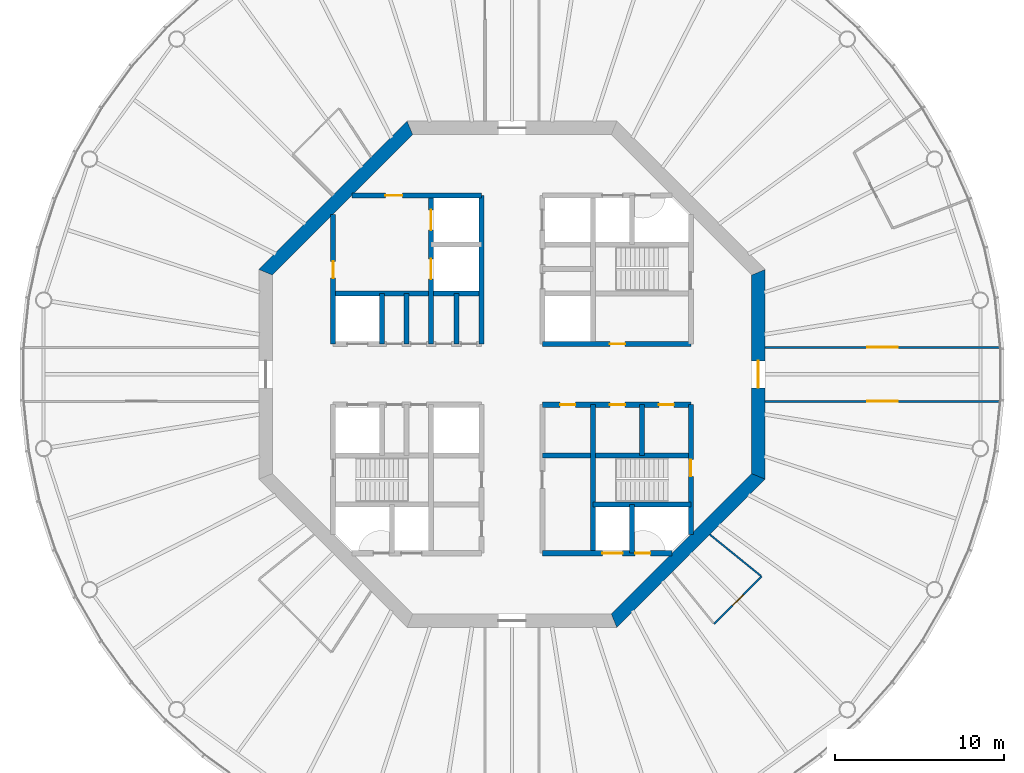
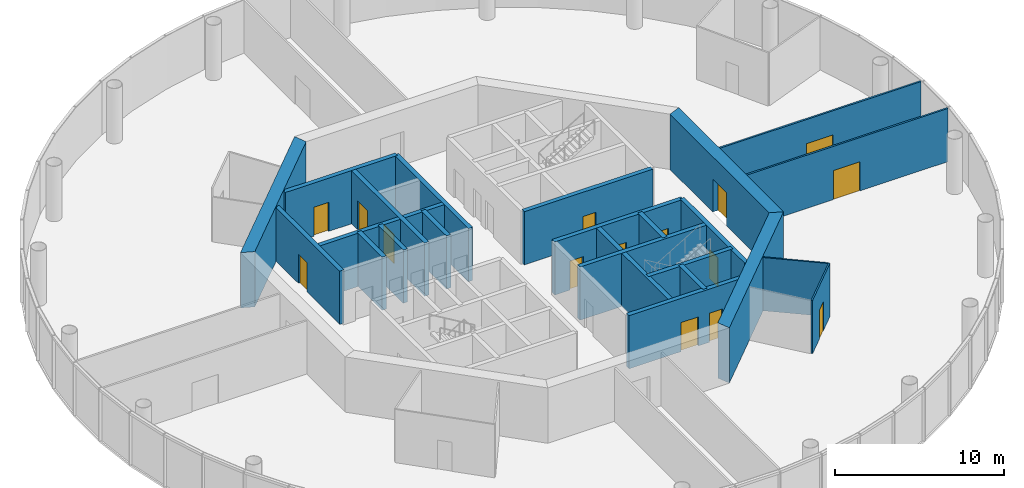
# One storey, part 4 of 12: 24 walls, 15 doors, 15 openings.
"""IFC4 building model written with IfcOpenShell, lengths in metres."""

from ifc_helpers import new_model, si_unit, direction, frame, frame_2d, origin, place, context, subcontext, project, spatial, polyline, rectangle, outline, extrude, material, layer, layer_set, type_object, element, fill, save


model = new_model("IFC4")

# Units and contexts
model_context = context("Model", 3, precision=1e-05, world=origin(), true_north=direction((0.0, 1.0)))
body_context = subcontext(model_context, "Body", "Model", "MODEL_VIEW")
ifc_project = project(units=[si_unit("LENGTHUNIT", "METRE"), si_unit("AREAUNIT", "SQUARE_METRE"), si_unit("VOLUMEUNIT", "CUBIC_METRE"), si_unit("PLANEANGLEUNIT", "RADIAN"), si_unit("MASSUNIT", "GRAM", prefix="KILO")], contexts=[model_context])

# Site, building, storey
site_placement = place(None, origin())
site = spatial("IfcSite", under=ifc_project, at=site_placement, CompositionType="ELEMENT")
building_placement = place(site_placement, origin())
building = spatial("IfcBuilding", under=site, at=building_placement, Name="Entoto Ring Tower", CompositionType="ELEMENT")
storey_placement = place(building_placement, frame((0.0, 0.0, 322.0)))
storey = spatial("IfcBuildingStorey", under=building, at=storey_placement, Name="L74", CompositionType="ELEMENT", Elevation=322.0)

# Wall, opening, door
ifc_material_1 = material(Name="Concrete C40/50", Category="concrete")
ifc_layer_1 = layer(ifc_material_1, 0.300048828125)
ifc_layer_set_1 = layer_set([ifc_layer_1], Name="Concrete C40/50")
wall_type_1 = type_object("IfcWallType", Name="Core enclosure wall 300 mm reinforced concrete", PredefinedType="SOLIDWALL", material=ifc_layer_set_1)
wall_1_placement = place(storey_placement, frame((100.60009765625, 70.518310546875, 0.0), z_axis=(0.0, 0.0, 1.0), x_axis=(0.0, 1.0, 0.0)))
wall_1 = element("IfcWall", 1, at=wall_1_placement, inside=storey, type_object=wall_type_1, Name="wall-L74-001", PredefinedType="SOLIDWALL", context=body_context, shape_type="SweptSolid", body=[
    extrude(rectangle(XDim=7.681640625, YDim=0.300048828125, at=frame_2d((3.8408203125, 0.0))), origin(), (0.0, 0.0, 1.0), 3.85009765625),
])
opening_1_placement = place(wall_1_placement, frame((3.431884765625, 0.0, 0.0)))
opening_1 = element("IfcOpeningElement", 2, at=opening_1_placement, cuts=wall_1, Name="Opening K-28", PredefinedType="OPENING", context=body_context, shape_type="SweptSolid", body=[
    extrude(rectangle(XDim=1.0, YDim=2.10009765625, at=frame_2d((0.5, 1.050048828125))), frame((0.0, 0.16015625, 0.0), z_axis=(0.0, -1.0, 0.0), x_axis=(1.0, 0.0, 0.0)), (0.0, 0.0, 1.0), 0.320068359375),
])
ifc_material_2 = material(Name="Steel door leaf, fire rated", Category="steel")
ifc_layer_2 = layer(ifc_material_2, 0.050048828125)
ifc_layer_set_2 = layer_set([ifc_layer_2], Name="Steel door leaf, fire rated")
door_type_1 = type_object("IfcDoorType", Name="Fire door FD60 1000 x 2100 single leaf", OperationType="NOTDEFINED", PredefinedType="DOOR", material=ifc_layer_set_2)
door_1_placement = place(opening_1_placement, origin())
door_1 = element("IfcDoor", 3, at=door_1_placement, inside=storey, type_object=door_type_1, Name="Door K-28", OperationType="SINGLE_SWING_RIGHT", OverallHeight=2.10009765625, OverallWidth=1.0, PredefinedType="DOOR", context=body_context, shape_type="SweptSolid", body=[
    extrude(rectangle(XDim=1.0, YDim=2.10009765625, at=frame_2d((0.5, 1.050048828125))), frame((0.0, 0.02490234375, 0.0), z_axis=(0.0, -1.0, 0.0), x_axis=(1.0, 0.0, 0.0)), (0.0, 0.0, 1.0), 0.050048828125),
])
fill(opening_1, door_1)

# Walls
wall_2_placement = place(storey_placement, frame((97.699951171875, 75.199951171875, 0.0), z_axis=(0.0, 0.0, 1.0), x_axis=(0.0, 1.0, 0.0)))
element("IfcWall", 4, at=wall_2_placement, inside=storey, type_object=wall_type_1, Name="wall-L74-003", PredefinedType="SOLIDWALL", context=body_context, shape_type="SweptSolid", body=[
    extrude(rectangle(XDim=3.0, YDim=0.300048828125, at=frame_2d((1.5, 0.0))), origin(), (0.0, 0.0, 1.0), 3.85009765625),
])
wall_3_placement = place(storey_placement, frame((97.10009765625, 69.39990234375, 0.0), z_axis=(0.0, 0.0, 1.0), x_axis=(0.0, 1.0, 0.0)))
element("IfcWall", 5, at=wall_3_placement, inside=storey, type_object=wall_type_1, Name="wall-L74-004", PredefinedType="SOLIDWALL", context=body_context, shape_type="SweptSolid", body=[
    extrude(rectangle(XDim=2.900146484375, YDim=0.300048828125, at=frame_2d((1.4501953125, 0.0))), origin(), (0.0, 0.0, 1.0), 3.85009765625),
])
for number, where, z_axis, x_axis, name in (
    (6, (94.800048828125, 69.39990234375, 0.0), (0.0, 0.0, 1.0), (0.0, 1.0, 0.0), "wall-L74-006"),
    (7, (88.199951171875, 81.800048828125, 0.0), (0.0, 0.0, 1.0), (0.0, 1.0, 0.0), "wall-L74-011"),
):
    element("IfcWall", number, at=place(storey_placement, frame(where, z_axis=z_axis, x_axis=x_axis)), inside=storey, type_object=wall_type_1, Name=name, PredefinedType="SOLIDWALL", context=body_context, shape_type="SweptSolid", body=[
        extrude(rectangle(XDim=8.800048828125, YDim=0.300048828125, at=frame_2d((4.39990234375, 0.0))), origin(), (0.0, 0.0, 1.0), 3.85009765625),
    ])
wall_4_placement = place(storey_placement, frame((86.699951171875, 81.800048828125, 0.0), z_axis=(0.0, 0.0, 1.0), x_axis=(0.0, 1.0, 0.0)))
element("IfcWall", 8, at=wall_4_placement, inside=storey, type_object=wall_type_1, Name="wall-L74-012", PredefinedType="SOLIDWALL", context=body_context, shape_type="SweptSolid", body=[
    extrude(rectangle(XDim=3.0, YDim=0.300048828125, at=frame_2d((1.5, 0.0))), origin(), (0.0, 0.0, 1.0), 3.85009765625),
])

# Wall, openings, doors
wall_5_placement = place(storey_placement, frame((85.199951171875, 81.800048828125, 0.0), z_axis=(0.0, 0.0, 1.0), x_axis=(0.0, 1.0, 0.0)))
wall_5 = element("IfcWall", 9, at=wall_5_placement, inside=storey, type_object=wall_type_1, Name="wall-L74-014", PredefinedType="SOLIDWALL", context=body_context, shape_type="SweptSolid", body=[
    extrude(rectangle(XDim=8.800048828125, YDim=0.300048828125, at=frame_2d((4.39990234375, 0.0))), origin(), (0.0, 0.0, 1.0), 3.85009765625),
])
opening_2_placement = place(wall_5_placement, frame((3.85009765625, 0.0, 0.0)))
opening_2 = element("IfcOpeningElement", 10, at=opening_2_placement, cuts=wall_5, Name="Opening LD", PredefinedType="OPENING", context=body_context, shape_type="SweptSolid", body=[
    extrude(rectangle(XDim=1.199951171875, YDim=2.10009765625, at=frame_2d((0.60009765625, 1.050048828125))), frame((0.0, 0.16015625, 0.0), z_axis=(0.0, -1.0, 0.0), x_axis=(1.0, 0.0, 0.0)), (0.0, 0.0, 1.0), 0.320068359375),
])
opening_3_placement = place(wall_5_placement, frame((6.75, 0.0, 0.0)))
opening_3 = element("IfcOpeningElement", 11, at=opening_3_placement, cuts=wall_5, Name="Opening LD", PredefinedType="OPENING", context=body_context, shape_type="SweptSolid", body=[
    extrude(rectangle(XDim=1.199951171875, YDim=2.10009765625, at=frame_2d((0.60009765625, 1.050048828125))), frame((0.0, 0.16015625, 0.0), z_axis=(0.0, -1.0, 0.0), x_axis=(1.0, 0.0, 0.0)), (0.0, 0.0, 1.0), 0.320068359375),
])
ifc_material_3 = material(Name="Steel and glass door leaf", Category="steel")
ifc_layer_3 = layer(ifc_material_3, 0.050048828125)
ifc_layer_set_3 = layer_set([ifc_layer_3], Name="Steel and glass door leaf")
door_type_2 = type_object("IfcDoorType", Name="Landing door 1200 x 2100 sliding", OperationType="DOUBLE_DOOR_SLIDING", PredefinedType="DOOR", material=ifc_layer_set_3)
door_2_placement = place(opening_2_placement, origin())
door_2 = element("IfcDoor", 12, at=door_2_placement, inside=storey, type_object=door_type_2, Name="Landing door FF1", OperationType="SLIDING_TO_RIGHT", OverallHeight=2.10009765625, OverallWidth=1.199951171875, PredefinedType="DOOR", context=body_context, shape_type="SweptSolid", body=[
    extrude(rectangle(XDim=1.199951171875, YDim=2.10009765625, at=frame_2d((0.60009765625, 1.050048828125))), frame((0.0, 0.02490234375, 0.0), z_axis=(0.0, -1.0, 0.0), x_axis=(1.0, 0.0, 0.0)), (0.0, 0.0, 1.0), 0.050048828125),
])
fill(opening_2, door_2)
door_3_placement = place(opening_3_placement, origin())
door_3 = element("IfcDoor", 13, at=door_3_placement, inside=storey, type_object=door_type_2, Name="Landing door FF2", OperationType="SLIDING_TO_RIGHT", OverallHeight=2.10009765625, OverallWidth=1.199951171875, PredefinedType="DOOR", context=body_context, shape_type="SweptSolid", body=[
    extrude(rectangle(XDim=1.199951171875, YDim=2.10009765625, at=frame_2d((0.60009765625, 1.050048828125))), frame((0.0, 0.02490234375, 0.0), z_axis=(0.0, -1.0, 0.0), x_axis=(1.0, 0.0, 0.0)), (0.0, 0.0, 1.0), 0.050048828125),
])
fill(opening_3, door_3)

# Walls
for number, where, z_axis, x_axis, name in (
    (14, (83.75, 81.800048828125, 0.0), (0.0, 0.0, 1.0), (0.0, 1.0, 0.0), "wall-L74-016"),
    (15, (82.300048828125, 81.800048828125, 0.0), (0.0, 0.0, 1.0), (0.0, 1.0, 0.0), "wall-L74-019"),
):
    element("IfcWall", number, at=place(storey_placement, frame(where, z_axis=z_axis, x_axis=x_axis)), inside=storey, type_object=wall_type_1, Name=name, PredefinedType="SOLIDWALL", context=body_context, shape_type="SweptSolid", body=[
        extrude(rectangle(XDim=3.0, YDim=0.300048828125, at=frame_2d((1.5, 0.0))), origin(), (0.0, 0.0, 1.0), 3.85009765625),
    ])

# Wall, opening, door
wall_6_placement = place(storey_placement, frame((79.39990234375, 81.800048828125, 0.0), z_axis=(0.0, 0.0, 1.0), x_axis=(0.0, 1.0, 0.0)))
wall_6 = element("IfcWall", 16, at=wall_6_placement, inside=storey, type_object=wall_type_1, Name="wall-L74-021", PredefinedType="SOLIDWALL", context=body_context, shape_type="SweptSolid", body=[
    extrude(rectangle(XDim=7.681640625, YDim=0.300048828125, at=frame_2d((3.8408203125, 0.0))), origin(), (0.0, 0.0, 1.0), 3.85009765625),
])
opening_4_placement = place(wall_6_placement, frame((3.89990234375, 0.0, 0.0)))
opening_4 = element("IfcOpeningElement", 17, at=opening_4_placement, cuts=wall_6, Name="Opening K-86", PredefinedType="OPENING", context=body_context, shape_type="SweptSolid", body=[
    extrude(rectangle(XDim=1.0, YDim=2.10009765625, at=frame_2d((0.5, 1.050048828125))), frame((0.0, 0.16015625, 0.0), z_axis=(0.0, -1.0, 0.0), x_axis=(1.0, 0.0, 0.0)), (0.0, 0.0, 1.0), 0.320068359375),
])
door_4_placement = place(opening_4_placement, frame((1.0, 0.0, 0.0), z_axis=(0.0, 0.0, 1.0), x_axis=(-1.0, 0.0, 0.0)))
door_4 = element("IfcDoor", 18, at=door_4_placement, inside=storey, type_object=door_type_1, Name="Door K-86", OperationType="SINGLE_SWING_RIGHT", OverallHeight=2.10009765625, OverallWidth=1.0, PredefinedType="DOOR", context=body_context, shape_type="SweptSolid", body=[
    extrude(rectangle(XDim=1.0, YDim=2.10009765625, at=frame_2d((0.5, 1.050048828125))), frame((0.0, 0.02490234375, 0.0), z_axis=(0.0, -1.0, 0.0), x_axis=(1.0, 0.0, 0.0)), (0.0, 0.0, 1.0), 0.050048828125),
])
fill(opening_4, door_4)

# Wall, openings, doors
wall_7_placement = place(storey_placement, frame((91.800048828125, 69.39990234375, 0.0), z_axis=(0.0, 0.0, 1.0), x_axis=(1.0, 0.0, 0.0)))
wall_7 = element("IfcWall", 19, at=wall_7_placement, inside=storey, type_object=wall_type_1, Name="wall-L74-023", PredefinedType="SOLIDWALL", context=body_context, shape_type="SweptSolid", body=[
    extrude(rectangle(XDim=7.681640625, YDim=0.300048828125, at=frame_2d((3.8408203125, 0.0))), origin(), (0.0, 0.0, 1.0), 3.85009765625),
])
opening_5_placement = place(wall_7_placement, frame((3.550048828125, 0.0, 0.0)))
opening_5 = element("IfcOpeningElement", 20, at=opening_5_placement, cuts=wall_7, Name="Opening LD", PredefinedType="OPENING", context=body_context, shape_type="SweptSolid", body=[
    extrude(rectangle(XDim=1.199951171875, YDim=2.10009765625, at=frame_2d((0.60009765625, 1.050048828125))), frame((0.0, 0.16015625, 0.0), z_axis=(0.0, -1.0, 0.0), x_axis=(1.0, 0.0, 0.0)), (0.0, 0.0, 1.0), 0.320068359375),
])
opening_6_placement = place(wall_7_placement, frame((5.5, 0.0, 0.0)))
opening_6 = element("IfcOpeningElement", 21, at=opening_6_placement, cuts=wall_7, Name="Opening K-85", PredefinedType="OPENING", context=body_context, shape_type="SweptSolid", body=[
    extrude(rectangle(XDim=0.89990234375, YDim=2.10009765625, at=frame_2d((0.449951171875, 1.050048828125))), frame((0.0, 0.16015625, 0.0), z_axis=(0.0, -1.0, 0.0), x_axis=(1.0, 0.0, 0.0)), (0.0, 0.0, 1.0), 0.320068359375),
])
door_5_placement = place(opening_5_placement, origin())
door_5 = element("IfcDoor", 22, at=door_5_placement, inside=storey, type_object=door_type_2, Name="Landing door LB2-HR", OperationType="SLIDING_TO_RIGHT", OverallHeight=2.10009765625, OverallWidth=1.199951171875, PredefinedType="DOOR", context=body_context, shape_type="SweptSolid", body=[
    extrude(rectangle(XDim=1.199951171875, YDim=2.10009765625, at=frame_2d((0.60009765625, 1.050048828125))), frame((0.0, 0.02490234375, 0.0), z_axis=(0.0, -1.0, 0.0), x_axis=(1.0, 0.0, 0.0)), (0.0, 0.0, 1.0), 0.050048828125),
])
fill(opening_5, door_5)
ifc_material_4 = material(Name="Steel door leaf, fire rated", Category="steel")
ifc_layer_4 = layer(ifc_material_4, 0.050048828125)
ifc_layer_set_4 = layer_set([ifc_layer_4], Name="Steel door leaf, fire rated")
door_type_3 = type_object("IfcDoorType", Name="Riser door FD60 900 x 2100 single leaf", OperationType="NOTDEFINED", PredefinedType="DOOR", material=ifc_layer_set_4)
door_6_placement = place(opening_6_placement, origin())
door_6 = element("IfcDoor", 23, at=door_6_placement, inside=storey, type_object=door_type_3, Name="Door K-85", OperationType="SINGLE_SWING_LEFT", OverallHeight=2.10009765625, OverallWidth=0.89990234375, PredefinedType="DOOR", context=body_context, shape_type="SweptSolid", body=[
    extrude(rectangle(XDim=0.89990234375, YDim=2.10009765625, at=frame_2d((0.449951171875, 1.050048828125))), frame((0.0, 0.02490234375, 0.0), z_axis=(0.0, -1.0, 0.0), x_axis=(1.0, 0.0, 0.0)), (0.0, 0.0, 1.0), 0.050048828125),
])
fill(opening_6, door_6)

# Walls
wall_8_placement = place(storey_placement, frame((94.800048828125, 72.300048828125, 0.0), z_axis=(0.0, 0.0, 1.0), x_axis=(1.0, 0.0, 0.0)))
element("IfcWall", 24, at=wall_8_placement, inside=storey, type_object=wall_type_1, Name="wall-L74-025", PredefinedType="SOLIDWALL", context=body_context, shape_type="SweptSolid", body=[
    extrude(rectangle(XDim=5.800048828125, YDim=0.300048828125, at=frame_2d((2.89990234375, 0.0))), origin(), (0.0, 0.0, 1.0), 3.85009765625),
])
wall_9_placement = place(storey_placement, frame((91.800048828125, 75.199951171875, 0.0), z_axis=(0.0, 0.0, 1.0), x_axis=(1.0, 0.0, 0.0)))
element("IfcWall", 25, at=wall_9_placement, inside=storey, type_object=wall_type_1, Name="wall-L74-027", PredefinedType="SOLIDWALL", context=body_context, shape_type="SweptSolid", body=[
    extrude(rectangle(XDim=8.800048828125, YDim=0.300048828125, at=frame_2d((4.39990234375, 0.0))), origin(), (0.0, 0.0, 1.0), 3.85009765625),
])

# Wall, openings, doors
wall_10_placement = place(storey_placement, frame((91.800048828125, 78.199951171875, 0.0), z_axis=(0.0, 0.0, 1.0), x_axis=(1.0, 0.0, 0.0)))
wall_10 = element("IfcWall", 26, at=wall_10_placement, inside=storey, type_object=wall_type_1, Name="wall-L74-029", PredefinedType="SOLIDWALL", context=body_context, shape_type="SweptSolid", body=[
    extrude(rectangle(XDim=8.800048828125, YDim=0.300048828125, at=frame_2d((4.39990234375, 0.0))), origin(), (0.0, 0.0, 1.0), 3.85009765625),
])
opening_7_placement = place(wall_10_placement, frame((4.0, 0.0, 0.0)))
opening_7 = element("IfcOpeningElement", 27, at=opening_7_placement, cuts=wall_10, Name="Opening K-14", PredefinedType="OPENING", context=body_context, shape_type="SweptSolid", body=[
    extrude(rectangle(XDim=0.89990234375, YDim=2.10009765625, at=frame_2d((0.449951171875, 1.050048828125))), frame((0.0, 0.16015625, 0.0), z_axis=(0.0, -1.0, 0.0), x_axis=(1.0, 0.0, 0.0)), (0.0, 0.0, 1.0), 0.320068359375),
])
opening_8_placement = place(wall_10_placement, frame((6.89990234375, 0.0, 0.0)))
opening_8 = element("IfcOpeningElement", 28, at=opening_8_placement, cuts=wall_10, Name="Opening K-15", PredefinedType="OPENING", context=body_context, shape_type="SweptSolid", body=[
    extrude(rectangle(XDim=0.89990234375, YDim=2.10009765625, at=frame_2d((0.449951171875, 1.050048828125))), frame((0.0, 0.16015625, 0.0), z_axis=(0.0, -1.0, 0.0), x_axis=(1.0, 0.0, 0.0)), (0.0, 0.0, 1.0), 0.320068359375),
])
opening_9_placement = place(wall_10_placement, frame((1.050048828125, 0.0, 0.0)))
opening_9 = element("IfcOpeningElement", 29, at=opening_9_placement, cuts=wall_10, Name="Opening K-25", PredefinedType="OPENING", context=body_context, shape_type="SweptSolid", body=[
    extrude(rectangle(XDim=0.89990234375, YDim=2.10009765625, at=frame_2d((0.449951171875, 1.050048828125))), frame((0.0, 0.16015625, 0.0), z_axis=(0.0, -1.0, 0.0), x_axis=(1.0, 0.0, 0.0)), (0.0, 0.0, 1.0), 0.320068359375),
])
ifc_material_5 = material(Name="Steel door leaf, fire rated", Category="steel")
ifc_layer_5 = layer(ifc_material_5, 0.050048828125)
ifc_layer_set_5 = layer_set([ifc_layer_5], Name="Steel door leaf, fire rated")
door_type_4 = type_object("IfcDoorType", Name="Core door 900 x 2100 single leaf", OperationType="NOTDEFINED", PredefinedType="DOOR", material=ifc_layer_set_5)
door_7_placement = place(opening_7_placement, frame((0.89990234375, 0.0, 0.0), z_axis=(0.0, 0.0, 1.0), x_axis=(-1.0, 0.0, 0.0)))
door_7 = element("IfcDoor", 30, at=door_7_placement, inside=storey, type_object=door_type_4, Name="Door K-14", OperationType="SINGLE_SWING_RIGHT", OverallHeight=2.10009765625, OverallWidth=0.89990234375, PredefinedType="DOOR", context=body_context, shape_type="SweptSolid", body=[
    extrude(rectangle(XDim=0.89990234375, YDim=2.10009765625, at=frame_2d((0.449951171875, 1.050048828125))), frame((0.0, 0.02490234375, 0.0), z_axis=(0.0, -1.0, 0.0), x_axis=(1.0, 0.0, 0.0)), (0.0, 0.0, 1.0), 0.050048828125),
])
fill(opening_7, door_7)
door_8_placement = place(opening_8_placement, frame((0.89990234375, 0.0, 0.0), z_axis=(0.0, 0.0, 1.0), x_axis=(-1.0, 0.0, 0.0)))
door_8 = element("IfcDoor", 31, at=door_8_placement, inside=storey, type_object=door_type_4, Name="Door K-15", OperationType="SINGLE_SWING_LEFT", OverallHeight=2.10009765625, OverallWidth=0.89990234375, PredefinedType="DOOR", context=body_context, shape_type="SweptSolid", body=[
    extrude(rectangle(XDim=0.89990234375, YDim=2.10009765625, at=frame_2d((0.449951171875, 1.050048828125))), frame((0.0, 0.02490234375, 0.0), z_axis=(0.0, -1.0, 0.0), x_axis=(1.0, 0.0, 0.0)), (0.0, 0.0, 1.0), 0.050048828125),
])
fill(opening_8, door_8)
door_9_placement = place(opening_9_placement, frame((0.89990234375, 0.0, 0.0), z_axis=(0.0, 0.0, 1.0), x_axis=(-1.0, 0.0, 0.0)))
door_9 = element("IfcDoor", 32, at=door_9_placement, inside=storey, type_object=door_type_4, Name="Door K-25", OperationType="SINGLE_SWING_RIGHT", OverallHeight=2.10009765625, OverallWidth=0.89990234375, PredefinedType="DOOR", context=body_context, shape_type="SweptSolid", body=[
    extrude(rectangle(XDim=0.89990234375, YDim=2.10009765625, at=frame_2d((0.449951171875, 1.050048828125))), frame((0.0, 0.02490234375, 0.0), z_axis=(0.0, -1.0, 0.0), x_axis=(1.0, 0.0, 0.0)), (0.0, 0.0, 1.0), 0.050048828125),
])
fill(opening_9, door_9)

# Wall, opening, door
wall_11_placement = place(storey_placement, frame((91.800048828125, 81.800048828125, 0.0), z_axis=(0.0, 0.0, 1.0), x_axis=(1.0, 0.0, 0.0)))
wall_11 = element("IfcWall", 33, at=wall_11_placement, inside=storey, type_object=wall_type_1, Name="wall-L74-031", PredefinedType="SOLIDWALL", context=body_context, shape_type="SweptSolid", body=[
    extrude(rectangle(XDim=8.800048828125, YDim=0.300048828125, at=frame_2d((4.39990234375, 0.0))), origin(), (0.0, 0.0, 1.0), 3.85009765625),
])
opening_10_placement = place(wall_11_placement, frame((4.0, 0.0, 0.0)))
opening_10 = element("IfcOpeningElement", 34, at=opening_10_placement, cuts=wall_11, Name="Opening K-11", PredefinedType="OPENING", context=body_context, shape_type="SweptSolid", body=[
    extrude(rectangle(XDim=0.89990234375, YDim=2.10009765625, at=frame_2d((0.449951171875, 1.050048828125))), frame((0.0, 0.16015625, 0.0), z_axis=(0.0, -1.0, 0.0), x_axis=(1.0, 0.0, 0.0)), (0.0, 0.0, 1.0), 0.320068359375),
])
door_10_placement = place(opening_10_placement, origin())
door_10 = element("IfcDoor", 35, at=door_10_placement, inside=storey, type_object=door_type_4, Name="Door K-11", OperationType="SINGLE_SWING_LEFT", OverallHeight=2.10009765625, OverallWidth=0.89990234375, PredefinedType="DOOR", context=body_context, shape_type="SweptSolid", body=[
    extrude(rectangle(XDim=0.89990234375, YDim=2.10009765625, at=frame_2d((0.449951171875, 1.050048828125))), frame((0.0, 0.02490234375, 0.0), z_axis=(0.0, -1.0, 0.0), x_axis=(1.0, 0.0, 0.0)), (0.0, 0.0, 1.0), 0.050048828125),
])
fill(opening_10, door_10)

# Wall
wall_12_placement = place(storey_placement, frame((79.39990234375, 84.800048828125, 0.0), z_axis=(0.0, 0.0, 1.0), x_axis=(1.0, 0.0, 0.0)))
element("IfcWall", 36, at=wall_12_placement, inside=storey, type_object=wall_type_1, Name="wall-L74-032", PredefinedType="SOLIDWALL", context=body_context, shape_type="SweptSolid", body=[
    extrude(rectangle(XDim=8.800048828125, YDim=0.300048828125, at=frame_2d((4.39990234375, 0.0))), origin(), (0.0, 0.0, 1.0), 3.85009765625),
])

# Wall, opening, door
wall_13_placement = place(storey_placement, frame((80.518310546875, 90.60009765625, 0.0), z_axis=(0.0, 0.0, 1.0), x_axis=(1.0, 0.0, 0.0)))
wall_13 = element("IfcWall", 37, at=wall_13_placement, inside=storey, type_object=wall_type_1, Name="wall-L74-037", PredefinedType="SOLIDWALL", context=body_context, shape_type="SweptSolid", body=[
    extrude(rectangle(XDim=7.681640625, YDim=0.300048828125, at=frame_2d((3.8408203125, 0.0))), origin(), (0.0, 0.0, 1.0), 3.85009765625),
])
opening_11_placement = place(wall_13_placement, frame((1.981689453125, 0.0, 0.0)))
opening_11 = element("IfcOpeningElement", 38, at=opening_11_placement, cuts=wall_13, Name="Opening K-87", PredefinedType="OPENING", context=body_context, shape_type="SweptSolid", body=[
    extrude(rectangle(XDim=1.0, YDim=2.10009765625, at=frame_2d((0.5, 1.050048828125))), frame((0.0, 0.16015625, 0.0), z_axis=(0.0, -1.0, 0.0), x_axis=(1.0, 0.0, 0.0)), (0.0, 0.0, 1.0), 0.320068359375),
])
door_11_placement = place(opening_11_placement, frame((1.0, 0.0, 0.0), z_axis=(0.0, 0.0, 1.0), x_axis=(-1.0, 0.0, 0.0)))
door_11 = element("IfcDoor", 39, at=door_11_placement, inside=storey, type_object=door_type_1, Name="Door K-87", OperationType="SINGLE_SWING_LEFT", OverallHeight=2.10009765625, OverallWidth=1.0, PredefinedType="DOOR", context=body_context, shape_type="SweptSolid", body=[
    extrude(rectangle(XDim=1.0, YDim=2.10009765625, at=frame_2d((0.5, 1.050048828125))), frame((0.0, 0.02490234375, 0.0), z_axis=(0.0, -1.0, 0.0), x_axis=(1.0, 0.0, 0.0)), (0.0, 0.0, 1.0), 0.050048828125),
])
fill(opening_11, door_11)

ifc_material_6 = material(Name="Concrete C40/50", Category="concrete")
ifc_layer_6 = layer(ifc_material_6, 0.800048828125)
ifc_layer_set_6 = layer_set([ifc_layer_6], Name="Concrete C40/50")
wall_type_2 = type_object("IfcWallType", Name="Core shear wall 800 mm reinforced concrete C40/50", PredefinedType="SHEAR", material=ifc_layer_set_6)
wall_14_placement = place(storey_placement, frame((104.60009765625, 73.952392578125, 0.0), z_axis=(0.0, 0.0, 1.0), x_axis=(0.0, 1.0, 0.0)))
wall_14 = element("IfcWall", 40, at=wall_14_placement, inside=storey, type_object=wall_type_2, Name="wall-L74-core-0", PredefinedType="SHEAR", context=body_context, shape_type="SweptSolid", body=[
    extrude(outline(polyline([(-0.165771484375, -0.39990234375), (12.260986328125, -0.39990234375), (11.929443359375, 0.39990234375), (0.165771484375, 0.39990234375), (-0.165771484375, -0.39990234375)])), origin(), (0.0, 0.0, 1.0), 4.0),
])
opening_12_placement = place(wall_14_placement, frame((5.24755859375, 0.0, 0.0)))
opening_12 = element("IfcOpeningElement", 41, at=opening_12_placement, cuts=wall_14, Name="Opening K-01", PredefinedType="OPENING", context=body_context, shape_type="SweptSolid", body=[
    extrude(rectangle(XDim=1.60009765625, YDim=2.39990234375, at=frame_2d((0.800048828125, 1.199951171875))), frame((0.0, 0.41015625, 0.0), z_axis=(0.0, -1.0, 0.0), x_axis=(1.0, 0.0, 0.0)), (0.0, 0.0, 1.0), 0.820068359375),
])
ifc_material_7 = material(Name="Steel door leaf, fire rated", Category="steel")
ifc_layer_7 = layer(ifc_material_7, 0.050048828125)
ifc_layer_set_7 = layer_set([ifc_layer_7], Name="Steel door leaf, fire rated")
door_type_5 = type_object("IfcDoorType", Name="Entrance door FD60 1600 x 2400 double leaf", OperationType="DOUBLE_DOOR_SINGLE_SWING", PredefinedType="DOOR", material=ifc_layer_set_7)
door_12_placement = place(opening_12_placement, origin())
door_12 = element("IfcDoor", 42, at=door_12_placement, inside=storey, type_object=door_type_5, Name="Entrance door K-01", OperationType="DOUBLE_DOOR_SINGLE_SWING", OverallHeight=2.39990234375, OverallWidth=1.60009765625, PredefinedType="DOOR", context=body_context, shape_type="SweptSolid", body=[
    extrude(rectangle(XDim=1.60009765625, YDim=2.39990234375, at=frame_2d((0.800048828125, 1.199951171875))), frame((0.0, 0.02490234375, 0.0), z_axis=(0.0, -1.0, 0.0), x_axis=(1.0, 0.0, 0.0)), (0.0, 0.0, 1.0), 0.050048828125),
])
fill(opening_12, door_12)

# Walls
for number, where, z_axis, x_axis, name in (
    (43, (83.952392578125, 94.60009765625, 0.0), (0.0, 0.0, 1.0), (-0.707106781187, -0.707106781187, 0.0), "wall-L74-core-3"),
    (44, (96.047607421875, 65.39990234375, 0.0), (0.0, 0.0, 1.0), (0.707106781187, 0.707106781187, 0.0), "wall-L74-core-7"),
):
    element("IfcWall", number, at=place(storey_placement, frame(where, z_axis=z_axis, x_axis=x_axis)), inside=storey, type_object=wall_type_2, Name=name, PredefinedType="SHEAR", context=body_context, shape_type="SweptSolid", body=[
        extrude(outline(polyline([(-0.165771484375, -0.39990234375), (12.2607421875, -0.39990234375), (11.92919921875, 0.39990234375), (0.165771484375, 0.39990234375), (-0.165771484375, -0.39990234375)])), origin(), (0.0, 0.0, 1.0), 4.0),
    ])

# Wall, opening, door
ifc_material_8 = material(Name="Fire-resisting plasterboard on steel studs", Category="steel")
ifc_layer_8 = layer(ifc_material_8, 0.125)
ifc_layer_set_8 = layer_set([ifc_layer_8], Name="Fire-resisting plasterboard on steel studs")
wall_type_3 = type_object("IfcWallType", Name="Corridor wall 125 mm one-hour plasterboard on steel studs", PredefinedType="PARTITIONING", material=ifc_layer_set_8)
wall_15_placement = place(storey_placement, frame((105.0, 78.39990234375, 0.0), z_axis=(0.0, 0.0, 1.0), x_axis=(1.0, 0.0, 0.0)))
wall_15 = element("IfcWall", 45, at=wall_15_placement, inside=storey, type_object=wall_type_3, Name="partition-L74-007", PredefinedType="PARTITIONING", context=body_context, shape_type="SweptSolid", body=[
    extrude(rectangle(XDim=13.891357421875, YDim=0.125, at=frame_2d((6.94580078125, 0.0))), origin(), (0.0, 0.0, 1.0), 3.85009765625),
])
opening_13_placement = place(wall_15_placement, frame((6.045654296875, 0.0, 0.0)))
opening_13 = element("IfcOpeningElement", 46, at=opening_13_placement, cuts=wall_15, Name="Opening A32-D07", PredefinedType="OPENING", context=body_context, shape_type="SweptSolid", body=[
    extrude(rectangle(XDim=1.800048828125, YDim=2.10009765625, at=frame_2d((0.89990234375, 1.050048828125))), frame((0.0, 0.072509765625, 0.0), z_axis=(0.0, -1.0, 0.0), x_axis=(1.0, 0.0, 0.0)), (0.0, 0.0, 1.0), 0.14501953125),
])
ifc_material_9 = material(Name="Fire-resisting timber door set", Category="wood")
door_type_6 = type_object("IfcDoorType", Name="Door 1800 x 2100 double leaf FD30S fire door", OperationType="DOUBLE_DOOR_SINGLE_SWING", PredefinedType="DOOR", material=ifc_material_9)
door_13_placement = place(opening_13_placement, frame((1.800048828125, 0.0, 0.0), z_axis=(0.0, 0.0, 1.0), x_axis=(-1.0, 0.0, 0.0)))
door_13 = element("IfcDoor", 47, at=door_13_placement, inside=storey, type_object=door_type_6, Name="Door A32-D07", OperationType="DOUBLE_DOOR_SINGLE_SWING", OverallHeight=2.10009765625, OverallWidth=1.800048828125, PredefinedType="DOOR", context=body_context, shape_type="SweptSolid", body=[
    extrude(rectangle(XDim=1.800048828125, YDim=2.10009765625, at=frame_2d((0.89990234375, 1.050048828125))), frame((0.0, 0.02490234375, 0.0), z_axis=(0.0, -1.0, 0.0), x_axis=(1.0, 0.0, 0.0)), (0.0, 0.0, 1.0), 0.050048828125),
])
fill(opening_13, door_13)

wall_16_placement = place(storey_placement, frame((105.0, 81.60009765625, 0.0), z_axis=(0.0, 0.0, 1.0), x_axis=(1.0, 0.0, 0.0)))
wall_16 = element("IfcWall", 48, at=wall_16_placement, inside=storey, type_object=wall_type_3, Name="partition-L74-008", PredefinedType="PARTITIONING", context=body_context, shape_type="SweptSolid", body=[
    extrude(rectangle(XDim=13.891357421875, YDim=0.125, at=frame_2d((6.94580078125, 0.0))), origin(), (0.0, 0.0, 1.0), 3.85009765625),
])
opening_14_placement = place(wall_16_placement, frame((6.045654296875, 0.0, 0.0)))
opening_14 = element("IfcOpeningElement", 49, at=opening_14_placement, cuts=wall_16, Name="Opening A32-D01", PredefinedType="OPENING", context=body_context, shape_type="SweptSolid", body=[
    extrude(rectangle(XDim=1.800048828125, YDim=2.10009765625, at=frame_2d((0.89990234375, 1.050048828125))), frame((0.0, 0.072509765625, 0.0), z_axis=(0.0, -1.0, 0.0), x_axis=(1.0, 0.0, 0.0)), (0.0, 0.0, 1.0), 0.14501953125),
])
door_14_placement = place(opening_14_placement, origin())
door_14 = element("IfcDoor", 50, at=door_14_placement, inside=storey, type_object=door_type_6, Name="Door A32-D01", OperationType="DOUBLE_DOOR_SINGLE_SWING", OverallHeight=2.10009765625, OverallWidth=1.800048828125, PredefinedType="DOOR", context=body_context, shape_type="SweptSolid", body=[
    extrude(rectangle(XDim=1.800048828125, YDim=2.10009765625, at=frame_2d((0.89990234375, 1.050048828125))), frame((0.0, 0.02490234375, 0.0), z_axis=(0.0, -1.0, 0.0), x_axis=(1.0, 0.0, 0.0)), (0.0, 0.0, 1.0), 0.050048828125),
])
fill(opening_14, door_14)

ifc_material_10 = material(Name="Plasterboard on steel studs", Category="steel")
ifc_layer_9 = layer(ifc_material_10, 0.10009765625)
ifc_layer_set_9 = layer_set([ifc_layer_9], Name="Plasterboard on steel studs")
wall_type_4 = type_object("IfcWallType", Name="Partition 100 mm plasterboard on steel studs", PredefinedType="PARTITIONING", material=ifc_layer_set_9)
wall_17_placement = place(storey_placement, frame((101.978759765625, 65.20751953125, 0.0), z_axis=(0.0, 0.0, 1.0), x_axis=(0.707106781187, 0.707106781187, 0.0)))
wall_17 = element("IfcWall", 51, at=wall_17_placement, inside=storey, type_object=wall_type_4, Name="partition-L74-015", PredefinedType="PARTITIONING", context=body_context, shape_type="SweptSolid", body=[
    extrude(rectangle(XDim=3.979248046875, YDim=0.10009765625, at=frame_2d((1.98974609375, 0.0))), origin(), (0.0, 0.0, 1.0), 3.85009765625),
])
opening_15_placement = place(wall_17_placement, frame((1.53955078125, 0.0, 0.0)))
opening_15 = element("IfcOpeningElement", 52, at=opening_15_placement, cuts=wall_17, Name="Opening A32-D08", PredefinedType="OPENING", context=body_context, shape_type="SweptSolid", body=[
    extrude(rectangle(XDim=0.89990234375, YDim=2.10009765625, at=frame_2d((0.449951171875, 1.050048828125))), frame((0.0, 0.06005859375, 0.0), z_axis=(0.0, -1.0, 0.0), x_axis=(1.0, 0.0, 0.0)), (0.0, 0.0, 1.0), 0.1201171875),
])
ifc_material_11 = material(Name="Veneered timber door leaf in timber frame", Category="wood")
door_type_7 = type_object("IfcDoorType", Name="Door 900 x 2100 single leaf timber veneer", OperationType="NOTDEFINED", PredefinedType="DOOR", material=ifc_material_11)
door_15_placement = place(opening_15_placement, origin())
door_15 = element("IfcDoor", 53, at=door_15_placement, inside=storey, type_object=door_type_7, Name="Door A32-D08", OperationType="SINGLE_SWING_RIGHT", OverallHeight=2.10009765625, OverallWidth=0.89990234375, PredefinedType="DOOR", context=body_context, shape_type="SweptSolid", body=[
    extrude(rectangle(XDim=0.89990234375, YDim=2.10009765625, at=frame_2d((0.449951171875, 1.050048828125))), frame((0.0, 0.02490234375, 0.0), z_axis=(0.0, -1.0, 0.0), x_axis=(1.0, 0.0, 0.0)), (0.0, 0.0, 1.0), 0.050048828125),
])
fill(opening_15, door_15)

# Wall
wall_18_placement = place(storey_placement, frame((104.749267578125, 68.056396484375, 0.0), z_axis=(0.0, 0.0, 1.0), x_axis=(-0.777144171062, 0.629322601997, 0.0)))
element("IfcWall", 54, at=wall_18_placement, inside=storey, type_object=wall_type_4, Name="partition-L74-017", PredefinedType="PARTITIONING", context=body_context, shape_type="SweptSolid", body=[
    extrude(rectangle(XDim=3.89599609375, YDim=0.10009765625, at=frame_2d((1.947998046875, 0.0))), origin(), (0.0, 0.0, 1.0), 3.85009765625),
])

save(model, "model.ifc")
